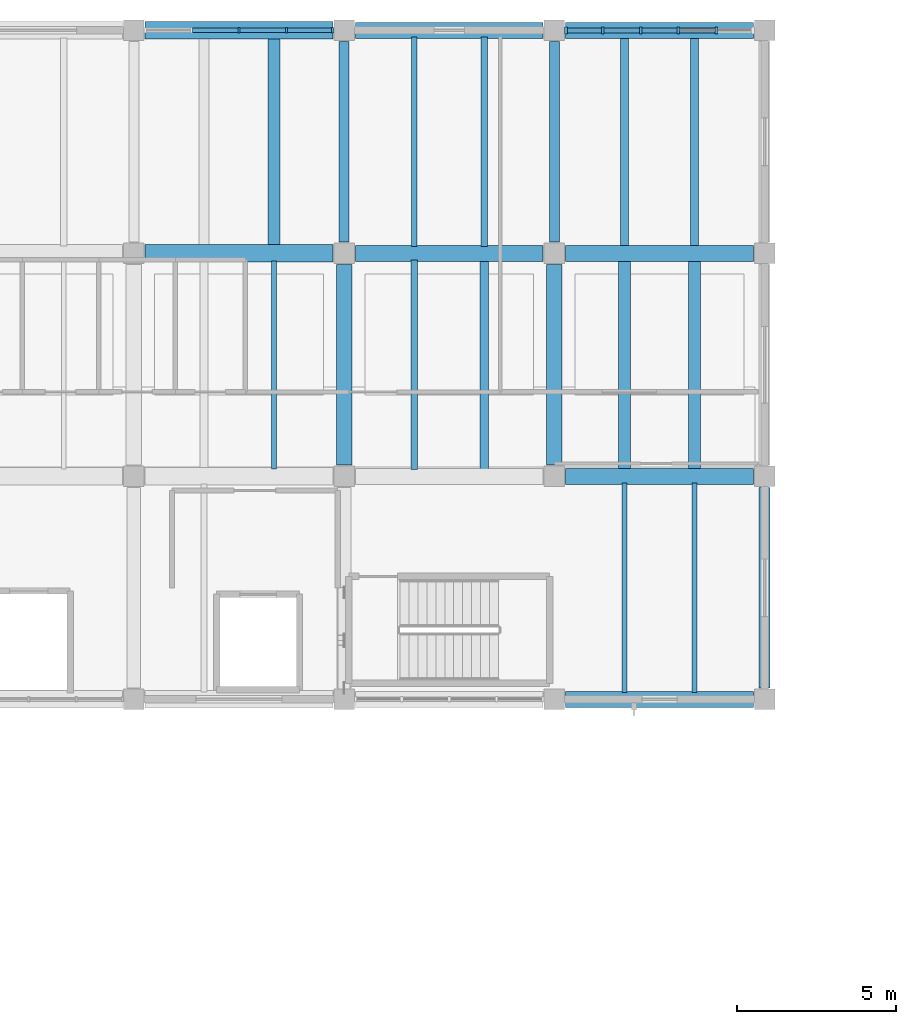
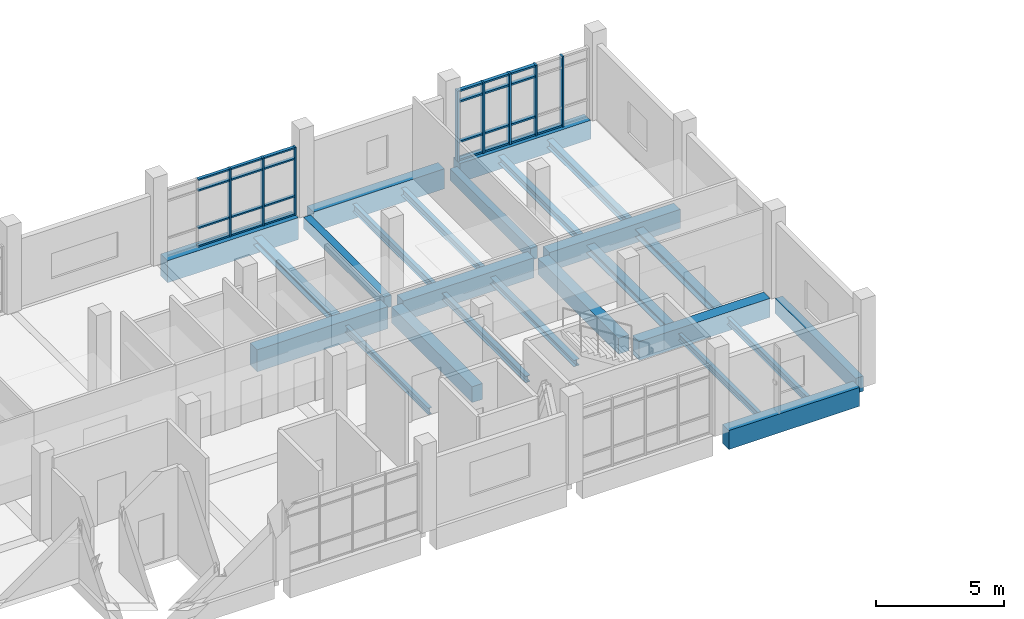
# One storey, part 5 of 16: 33 members, 25 beams, 2 elements without a shape of their own.
"""IFC4 building model written with IfcOpenShell, lengths in metres."""

import ifcopenshell
import ifcopenshell.guid

model = None  # the IFC model being written
_history = None  # IfcOwnerHistory: only IFC2X3 demands one
_inside = {}  # id of a spatial element -> (the spatial element, [elements in it])
_under = {}  # id of a project, library or spatial element -> (it, [spatial elements below it])
_declared = {}  # id of a project -> (the project, [libraries it declares])
_typed = {}  # id of a type object -> (the type object, [elements of that type])
_made_of = {}  # id of a material, layer set ... -> (it, [elements and type objects made of it])


def new_model(schema):
    """Start an empty IFC model of exactly this schema.

    Asked for "IFC4X3", IfcOpenShell would pick the latest addendum, in which some entities
    have other attributes; the version numbers below select the first issue.
    IFC2X3 requires an IfcOwnerHistory on every rooted entity: one is made here for all.
    """
    global model, _history
    if schema == "IFC4X3":
        model = ifcopenshell.file(schema_version=(4, 3, 0, 0))
    else:
        model = ifcopenshell.file(schema=schema)
    _inside.clear()
    _under.clear()
    _declared.clear()
    _typed.clear()
    _made_of.clear()
    _history = None
    if model.schema == "IFC2X3":
        org = make("IfcOrganization", Name="unknown")
        user = make(
            "IfcPersonAndOrganization",
            ThePerson=make("IfcPerson", FamilyName="unknown"),
            TheOrganization=org,
        )
        app = make(
            "IfcApplication",
            ApplicationDeveloper=org,
            Version="unknown",
            ApplicationFullName="unknown",
            ApplicationIdentifier="unknown",
        )
        _history = make(
            "IfcOwnerHistory",
            OwningUser=user,
            OwningApplication=app,
            ChangeAction="ADDED",
            CreationDate=0,
        )
    return model


def make(cls, **values):
    """One entity of the class cls with the attributes given. An attribute that is None is left unset."""
    return model.create_entity(
        cls, **{name: value for name, value in values.items() if value is not None}
    )


def rooted(cls, **values):
    """An entity with a GlobalId (a new one), such as an element, a storey or a relation."""
    return make(cls, GlobalId=ifcopenshell.guid.new(), OwnerHistory=_history, **values)


def si_unit(unit_type, name, prefix=None):
    """IfcSIUnit, for example si_unit("LENGTHUNIT", "METRE", prefix="MILLI")."""
    return make("IfcSIUnit", UnitType=unit_type, Prefix=prefix, Name=name)


def assignment(units):
    """IfcUnitAssignment: the units of a project."""
    return None if units is None else make("IfcUnitAssignment", Units=units)


def point(xyz):
    """IfcCartesianPoint."""
    return None if xyz is None else make("IfcCartesianPoint", Coordinates=xyz)


def direction(xyz):
    """IfcDirection."""
    return None if xyz is None else make("IfcDirection", DirectionRatios=xyz)


def frame(location, z_axis=None, x_axis=None):
    """IfcAxis2Placement3D, a coordinate frame: its origin and axes. An axis left out is left unset."""
    return make(
        "IfcAxis2Placement3D",
        Location=point(location),
        Axis=direction(z_axis),
        RefDirection=direction(x_axis),
    )


def frame_2d(location, x_axis=None):
    """IfcAxis2Placement2D, a coordinate frame in the plane: its origin and x axis."""
    return make(
        "IfcAxis2Placement2D", Location=point(location), RefDirection=direction(x_axis)
    )


def origin():
    """The frame at (0, 0, 0) with its axes left unset."""
    return frame((0.0, 0.0, 0.0))


def origin_2d():
    """The frame at (0, 0) in the plane with its x axis left unset."""
    return frame_2d((0.0, 0.0))


def place(relative_to, where):
    """IfcLocalPlacement: puts the frame where relative to a parent placement (None: the world)."""
    return make(
        "IfcLocalPlacement", PlacementRelTo=relative_to, RelativePlacement=where
    )


def context(
    kind, dimensions, precision=None, world=None, true_north=None, identifier=None
):
    """IfcGeometricRepresentationContext, for example the 3D "Model" context."""
    return make(
        "IfcGeometricRepresentationContext",
        ContextIdentifier=identifier,
        ContextType=kind,
        CoordinateSpaceDimension=dimensions,
        Precision=precision,
        WorldCoordinateSystem=world,
        TrueNorth=true_north,
    )


def subcontext(parent, identifier, kind, view, scale=None):
    """IfcGeometricRepresentationSubContext, for example "Body" below "Model"."""
    return make(
        "IfcGeometricRepresentationSubContext",
        ContextIdentifier=identifier,
        ContextType=kind,
        ParentContext=parent,
        TargetScale=scale,
        TargetView=view,
    )


def project(units=None, contexts=None):
    """IfcProject with its units and contexts."""
    return rooted(
        "IfcProject",
        Name="project",
        RepresentationContexts=contexts,
        UnitsInContext=assignment(units),
    )


def spatial(cls, under=None, at=None, **own):
    """A site, building, storey or space (cls), placed at a placement, below another one or the project."""
    s = rooted(cls, ObjectPlacement=at, **own)
    if under is not None:
        _under.setdefault(under.id(), (under, []))[1].append(s)
    return s


def profile(cls, at=None, kind="AREA", **sizes):
    """A parametric profile (cls). Its sizes go by their IFC names, for example OverallWidth=200.0."""
    return make(cls, ProfileType=kind, Position=at, **sizes)


def rectangle(**sizes):
    """IfcRectangleProfileDef."""
    return profile("IfcRectangleProfileDef", **sizes)


def i_section(**sizes):
    """IfcIShapeProfileDef."""
    return profile("IfcIShapeProfileDef", **sizes)


def extrude(swept, where, along, depth):
    """IfcExtrudedAreaSolid: the profile swept, set in the frame where, extruded along a direction by depth."""
    return make(
        "IfcExtrudedAreaSolid",
        SweptArea=swept,
        Position=where,
        ExtrudedDirection=direction(along),
        Depth=depth,
    )


def shape(context_of_items, identifier, shape_type, items):
    """IfcShapeRepresentation: the items that make up one representation, for example the "Body"."""
    return make(
        "IfcShapeRepresentation",
        ContextOfItems=context_of_items,
        RepresentationIdentifier=identifier,
        RepresentationType=shape_type,
        Items=items,
    )


def material(Name=None, Category=None):
    """IfcMaterial."""
    return make("IfcMaterial", Name=Name, Category=Category)


def material_profile(
    of_material, cross_section, Name=None, Category=None, Priority=None
):
    """IfcMaterialProfile: a cross section and its material."""
    return make(
        "IfcMaterialProfile",
        Name=Name,
        Material=of_material,
        Profile=cross_section,
        Priority=Priority,
        Category=Category,
    )


def profile_set(profiles, Name=None, composite=None):
    """IfcMaterialProfileSet."""
    return make(
        "IfcMaterialProfileSet",
        Name=Name,
        MaterialProfiles=profiles,
        CompositeProfile=composite,
    )


def made_of(thing, what):
    """Note that an element or type object is made of a material, layer set ...; save() writes the relation."""
    if what is not None:
        _made_of.setdefault(what.id(), (what, []))[1].append(thing)
    return thing


def type_object(cls, material=None, **own):
    """A type object (cls), such as IfcWallType, which elements share."""
    return made_of(rooted(cls, **own), material)


def element(
    cls,
    number,
    at=None,
    inside=None,
    cuts=None,
    type_object=None,
    material=None,
    context=None,
    identifier="Body",
    shape_type=None,
    held_by="IfcProductDefinitionShape",
    body=None,
    shapes=None,
    **own,
):
    """One element of the class cls, such as IfcWall. Its Tag is "e" and its number.

    at: its placement. inside: the storey or other place that contains it. cuts: it is an
    opening in that element (IfcRelVoidsElement). A single representation is given by context,
    identifier, shape_type and body (its items); several are given by shapes. held_by: the class
    of the entity that holds the representations. save() writes the other relations.
    """
    e = rooted(cls, Tag="e%d" % number, ObjectPlacement=at, **own)
    if body is not None:
        shapes = [shape(context, identifier, shape_type, body)]
    if shapes is not None:
        e.Representation = make(held_by, Representations=shapes)
    if inside is not None:
        _inside.setdefault(inside.id(), (inside, []))[1].append(e)
    if cuts is not None:
        rooted(
            "IfcRelVoidsElement", RelatingBuildingElement=cuts, RelatedOpeningElement=e
        )
    if type_object is not None:
        _typed.setdefault(type_object.id(), (type_object, []))[1].append(e)
    return made_of(e, material)


def aggregate(whole, parts):
    """IfcRelAggregates: a whole, such as a stair, and the parts it consists of."""
    return rooted("IfcRelAggregates", RelatingObject=whole, RelatedObjects=parts)


def save(model, path):
    """Write the relations noted so far, then the file.

    IfcRelAggregates (storeys below a building ...), IfcRelContainedInSpatialStructure (elements
    in a storey), IfcRelDefinesByType, IfcRelAssociatesMaterial and IfcRelDeclares: one each for
    every whole, place, type object, material and project.
    """
    for whole, parts in _under.values():
        aggregate(whole, parts)
    for where, things in _inside.values():
        rooted(
            "IfcRelContainedInSpatialStructure",
            RelatedElements=things,
            RelatingStructure=where,
        )
    for kind, things in _typed.values():
        rooted("IfcRelDefinesByType", RelatedObjects=things, RelatingType=kind)
    for what, things in _made_of.values():
        rooted("IfcRelAssociatesMaterial", RelatedObjects=things, RelatingMaterial=what)
    for by, libraries in _declared.values():
        rooted("IfcRelDeclares", RelatingContext=by, RelatedDefinitions=libraries)
    model.write(path)


model = new_model("IFC4")

# Units and contexts
model_context = context("Model", 3, precision=1e-05, world=origin(), true_north=direction((0.0, 1.0)))
body_context = subcontext(model_context, "Body", "Model", "MODEL_VIEW")
ifc_project = project(units=[si_unit("LENGTHUNIT", "METRE"), si_unit("AREAUNIT", "SQUARE_METRE"), si_unit("VOLUMEUNIT", "CUBIC_METRE"), si_unit("PLANEANGLEUNIT", "RADIAN"), si_unit("MASSUNIT", "GRAM", prefix="KILO")], contexts=[model_context])

# Site, building, storey
site_placement = place(None, origin())
site = spatial("IfcSite", under=ifc_project, at=site_placement, CompositionType="ELEMENT")
building_placement = place(site_placement, origin())
building = spatial("IfcBuilding", under=site, at=building_placement, Name="Ciguamira Faculty of Natural Sciences", CompositionType="ELEMENT")
storey_placement = place(building_placement, frame((0.0, 0.0, 25.199951171875)))
storey = spatial("IfcBuildingStorey", under=building, at=storey_placement, Name="L06", CompositionType="ELEMENT", Elevation=25.199951171875)

# Curtain wall, members
ifc_material_1 = material(Name="Anodized aluminium curtain wall", Category="aluminium")
curtain_wall_type_1 = type_object("IfcCurtainWallType", Name="CurtainWall_CW-02", PredefinedType="USERDEFINED", material=ifc_material_1)
curtain_wall_1_placement = place(storey_placement, origin())
curtain_wall_1 = element("IfcCurtainWall", 1, at=curtain_wall_1_placement, inside=storey, type_object=curtain_wall_type_1, Name="L06 unitised curtain wall 0146", ObjectType="UNITISED CURTAIN WALL", PredefinedType="USERDEFINED")
ifc_material_2 = material(Name="Anodized aluminium mullion", Category="aluminium")
ifc_material_profile_1 = material_profile(ifc_material_2, rectangle(XDim=0.070068359375, YDim=0.179931640625, at=origin_2d()), Name="ALU-MUL-70X180")
ifc_profile_set_1 = profile_set([ifc_material_profile_1], Name="Anodized aluminium mullion")
member_type_1 = type_object("IfcMemberType", Name="CWMullion_CWM-02", PredefinedType="MULLION", material=ifc_profile_set_1)
member_1_placement = place(storey_placement, frame((93.60009765625, 115.0, 0.0), z_axis=(0.0, 0.0, 1.0), x_axis=(1.0, 0.0, 0.0)))
member_1 = element("IfcMember", 2, at=member_1_placement, type_object=member_type_1, Name="CW-02 mullion 3", PredefinedType="MULLION", context=body_context, shape_type="SweptSolid", body=[
    extrude(rectangle(XDim=0.070068359375, YDim=0.179931640625, at=origin_2d()), origin(), (0.0, 0.0, 1.0), 3.235107421875),
])
member_2_placement = place(storey_placement, frame((95.08740234375, 115.0, 0.0), z_axis=(0.0, 0.0, 1.0), x_axis=(1.0, 0.0, 0.0)))
member_2 = element("IfcMember", 3, at=member_2_placement, type_object=member_type_1, Name="CW-02 mullion 4", PredefinedType="MULLION", context=body_context, shape_type="SweptSolid", body=[
    extrude(rectangle(XDim=0.070068359375, YDim=0.179931640625, at=origin_2d()), origin(), (0.0, 0.0, 1.0), 3.235107421875),
])
member_3_placement = place(storey_placement, frame((96.5400390625, 115.0, 0.0), z_axis=(0.0, 0.0, 1.0), x_axis=(1.0, 0.0, 0.0)))
member_3 = element("IfcMember", 4, at=member_3_placement, type_object=member_type_1, Name="CW-02 mullion 5", PredefinedType="MULLION", context=body_context, shape_type="SweptSolid", body=[
    extrude(rectangle(XDim=0.070068359375, YDim=0.179931640625, at=origin_2d()), origin(), (0.0, 0.0, 1.0), 3.235107421875),
])

curtain_wall_type_2 = type_object("IfcCurtainWallType", Name="CurtainWall_CW-03", PredefinedType="USERDEFINED", material=ifc_material_1)
curtain_wall_2_placement = place(storey_placement, origin())
curtain_wall_2 = element("IfcCurtainWall", 5, at=curtain_wall_2_placement, inside=storey, type_object=curtain_wall_type_2, Name="L06 unitised curtain wall 0147", ObjectType="UNITISED CURTAIN WALL", PredefinedType="USERDEFINED")
ifc_material_profile_2 = material_profile(ifc_material_2, rectangle(XDim=0.080078125, YDim=0.219970703125, at=origin_2d()), Name="ALU-MUL-80X220")
ifc_profile_set_2 = profile_set([ifc_material_profile_2], Name="Anodized aluminium mullion")
member_type_2 = type_object("IfcMemberType", Name="CWMullion_CWM-03", PredefinedType="MULLION", material=ifc_profile_set_2)
member_4_placement = place(storey_placement, frame((103.864990234375, 115.0, 0.0), z_axis=(0.0, 0.0, 1.0), x_axis=(1.0, 0.0, 0.0)))
member_4 = element("IfcMember", 6, at=member_4_placement, type_object=member_type_2, Name="CW-03 mullion 1", PredefinedType="MULLION", context=body_context, shape_type="SweptSolid", body=[
    extrude(rectangle(XDim=0.080078125, YDim=0.219970703125, at=origin_2d()), origin(), (0.0, 0.0, 1.0), 3.364990234375),
])
member_5_placement = place(storey_placement, frame((105.014892578125, 115.0, 0.0), z_axis=(0.0, 0.0, 1.0), x_axis=(1.0, 0.0, 0.0)))
member_5 = element("IfcMember", 7, at=member_5_placement, type_object=member_type_2, Name="CW-03 mullion 2", PredefinedType="MULLION", context=body_context, shape_type="SweptSolid", body=[
    extrude(rectangle(XDim=0.080078125, YDim=0.219970703125, at=origin_2d()), origin(), (0.0, 0.0, 1.0), 3.364990234375),
])
member_6_placement = place(storey_placement, frame((106.205078125, 115.0, 0.0), z_axis=(0.0, 0.0, 1.0), x_axis=(1.0, 0.0, 0.0)))
member_6 = element("IfcMember", 8, at=member_6_placement, type_object=member_type_2, Name="CW-03 mullion 3", PredefinedType="MULLION", context=body_context, shape_type="SweptSolid", body=[
    extrude(rectangle(XDim=0.080078125, YDim=0.219970703125, at=origin_2d()), origin(), (0.0, 0.0, 1.0), 3.364990234375),
])
member_7_placement = place(storey_placement, frame((107.39501953125, 115.0, 0.0), z_axis=(0.0, 0.0, 1.0), x_axis=(1.0, 0.0, 0.0)))
member_7 = element("IfcMember", 9, at=member_7_placement, type_object=member_type_2, Name="CW-03 mullion 4", PredefinedType="MULLION", context=body_context, shape_type="SweptSolid", body=[
    extrude(rectangle(XDim=0.080078125, YDim=0.219970703125, at=origin_2d()), origin(), (0.0, 0.0, 1.0), 3.364990234375),
])
member_8_placement = place(storey_placement, frame((108.5849609375, 115.0, 0.0), z_axis=(0.0, 0.0, 1.0), x_axis=(1.0, 0.0, 0.0)))
member_8 = element("IfcMember", 10, at=member_8_placement, type_object=member_type_2, Name="CW-03 mullion 5", PredefinedType="MULLION", context=body_context, shape_type="SweptSolid", body=[
    extrude(rectangle(XDim=0.080078125, YDim=0.219970703125, at=origin_2d()), origin(), (0.0, 0.0, 1.0), 3.364990234375),
])

# Member
ifc_material_3 = material(Name="Anodized aluminium transom", Category="aluminium")
ifc_material_profile_3 = material_profile(ifc_material_3, rectangle(XDim=0.070068359375, YDim=0.139892578125, at=origin_2d()), Name="ALU-TRN-70X140")
ifc_profile_set_3 = profile_set([ifc_material_profile_3], Name="Anodized aluminium transom")
member_type_3 = type_object("IfcMemberType", Name="CWTransom_CWT-02", PredefinedType="USERDEFINED", material=ifc_profile_set_3)
member_9_placement = place(storey_placement, frame((92.1474609375, 115.0, 0.03515625), z_axis=(1.0, 0.0, 0.0), x_axis=(0.0, 0.0, 1.0)))
member_9 = element("IfcMember", 11, at=member_9_placement, type_object=member_type_3, Name="CW-02 transom 2.1", ObjectType="TRANSOM", PredefinedType="USERDEFINED", context=body_context, shape_type="SweptSolid", body=[
    extrude(rectangle(XDim=0.070068359375, YDim=0.139892578125, at=origin_2d()), origin(), (0.0, 0.0, 1.0), 1.41748046875),
])

member_10_placement = place(storey_placement, frame((92.1474609375, 115.0, 0.900146484375), z_axis=(1.0, 0.0, 0.0), x_axis=(0.0, 0.0, 1.0)))
member_10 = element("IfcMember", 12, at=member_10_placement, type_object=member_type_3, Name="CW-02 transom 2.2", ObjectType="TRANSOM", PredefinedType="USERDEFINED", context=body_context, shape_type="SweptSolid", body=[
    extrude(rectangle(XDim=0.070068359375, YDim=0.139892578125, at=origin_2d()), origin(), (0.0, 0.0, 1.0), 1.41748046875),
])

member_11_placement = place(storey_placement, frame((92.1474609375, 115.0, 2.68505859375), z_axis=(1.0, 0.0, 0.0), x_axis=(0.0, 0.0, 1.0)))
member_11 = element("IfcMember", 13, at=member_11_placement, type_object=member_type_3, Name="CW-02 transom 2.3", ObjectType="TRANSOM", PredefinedType="USERDEFINED", context=body_context, shape_type="SweptSolid", body=[
    extrude(rectangle(XDim=0.070068359375, YDim=0.139892578125, at=origin_2d()), origin(), (0.0, 0.0, 1.0), 1.41748046875),
])

member_12_placement = place(storey_placement, frame((92.1474609375, 115.0, 3.199951171875), z_axis=(1.0, 0.0, 0.0), x_axis=(0.0, 0.0, 1.0)))
member_12 = element("IfcMember", 14, at=member_12_placement, type_object=member_type_3, Name="CW-02 transom 2.4", ObjectType="TRANSOM", PredefinedType="USERDEFINED", context=body_context, shape_type="SweptSolid", body=[
    extrude(rectangle(XDim=0.070068359375, YDim=0.139892578125, at=origin_2d()), origin(), (0.0, 0.0, 1.0), 1.41748046875),
])

member_13_placement = place(storey_placement, frame((93.635009765625, 115.0, 0.03515625), z_axis=(1.0, 0.0, 0.0), x_axis=(0.0, 0.0, 1.0)))
member_13 = element("IfcMember", 15, at=member_13_placement, type_object=member_type_3, Name="CW-02 transom 3.1", ObjectType="TRANSOM", PredefinedType="USERDEFINED", context=body_context, shape_type="SweptSolid", body=[
    extrude(rectangle(XDim=0.070068359375, YDim=0.139892578125, at=origin_2d()), origin(), (0.0, 0.0, 1.0), 1.41748046875),
])

member_14_placement = place(storey_placement, frame((93.635009765625, 115.0, 0.900146484375), z_axis=(1.0, 0.0, 0.0), x_axis=(0.0, 0.0, 1.0)))
member_14 = element("IfcMember", 16, at=member_14_placement, type_object=member_type_3, Name="CW-02 transom 3.2", ObjectType="TRANSOM", PredefinedType="USERDEFINED", context=body_context, shape_type="SweptSolid", body=[
    extrude(rectangle(XDim=0.070068359375, YDim=0.139892578125, at=origin_2d()), origin(), (0.0, 0.0, 1.0), 1.41748046875),
])

member_15_placement = place(storey_placement, frame((93.635009765625, 115.0, 2.68505859375), z_axis=(1.0, 0.0, 0.0), x_axis=(0.0, 0.0, 1.0)))
member_15 = element("IfcMember", 17, at=member_15_placement, type_object=member_type_3, Name="CW-02 transom 3.3", ObjectType="TRANSOM", PredefinedType="USERDEFINED", context=body_context, shape_type="SweptSolid", body=[
    extrude(rectangle(XDim=0.070068359375, YDim=0.139892578125, at=origin_2d()), origin(), (0.0, 0.0, 1.0), 1.41748046875),
])

member_16_placement = place(storey_placement, frame((93.635009765625, 115.0, 3.199951171875), z_axis=(1.0, 0.0, 0.0), x_axis=(0.0, 0.0, 1.0)))
member_16 = element("IfcMember", 18, at=member_16_placement, type_object=member_type_3, Name="CW-02 transom 3.4", ObjectType="TRANSOM", PredefinedType="USERDEFINED", context=body_context, shape_type="SweptSolid", body=[
    extrude(rectangle(XDim=0.070068359375, YDim=0.139892578125, at=origin_2d()), origin(), (0.0, 0.0, 1.0), 1.41748046875),
])

member_17_placement = place(storey_placement, frame((95.12255859375, 115.0, 0.03515625), z_axis=(1.0, 0.0, 0.0), x_axis=(0.0, 0.0, 1.0)))
member_17 = element("IfcMember", 19, at=member_17_placement, type_object=member_type_3, Name="CW-02 transom 4.1", ObjectType="TRANSOM", PredefinedType="USERDEFINED", context=body_context, shape_type="SweptSolid", body=[
    extrude(rectangle(XDim=0.070068359375, YDim=0.139892578125, at=origin_2d()), origin(), (0.0, 0.0, 1.0), 1.38232421875),
])

member_18_placement = place(storey_placement, frame((95.12255859375, 115.0, 0.900146484375), z_axis=(1.0, 0.0, 0.0), x_axis=(0.0, 0.0, 1.0)))
member_18 = element("IfcMember", 20, at=member_18_placement, type_object=member_type_3, Name="CW-02 transom 4.2", ObjectType="TRANSOM", PredefinedType="USERDEFINED", context=body_context, shape_type="SweptSolid", body=[
    extrude(rectangle(XDim=0.070068359375, YDim=0.139892578125, at=origin_2d()), origin(), (0.0, 0.0, 1.0), 1.38232421875),
])

member_19_placement = place(storey_placement, frame((95.12255859375, 115.0, 2.68505859375), z_axis=(1.0, 0.0, 0.0), x_axis=(0.0, 0.0, 1.0)))
member_19 = element("IfcMember", 21, at=member_19_placement, type_object=member_type_3, Name="CW-02 transom 4.3", ObjectType="TRANSOM", PredefinedType="USERDEFINED", context=body_context, shape_type="SweptSolid", body=[
    extrude(rectangle(XDim=0.070068359375, YDim=0.139892578125, at=origin_2d()), origin(), (0.0, 0.0, 1.0), 1.38232421875),
])

member_20_placement = place(storey_placement, frame((95.12255859375, 115.0, 3.199951171875), z_axis=(1.0, 0.0, 0.0), x_axis=(0.0, 0.0, 1.0)))
member_20 = element("IfcMember", 22, at=member_20_placement, type_object=member_type_3, Name="CW-02 transom 4.4", ObjectType="TRANSOM", PredefinedType="USERDEFINED", context=body_context, shape_type="SweptSolid", body=[
    extrude(rectangle(XDim=0.070068359375, YDim=0.139892578125, at=origin_2d()), origin(), (0.0, 0.0, 1.0), 1.38232421875),
])

aggregate(curtain_wall_1, [member_1, member_2, member_3, member_9, member_10, member_11, member_12, member_13, member_14, member_15, member_16, member_17, member_18, member_19, member_20])

ifc_material_profile_4 = material_profile(ifc_material_3, rectangle(XDim=0.080078125, YDim=0.159912109375, at=origin_2d()), Name="ALU-TRN-80X160")
ifc_profile_set_4 = profile_set([ifc_material_profile_4], Name="Anodized aluminium transom")
member_type_4 = type_object("IfcMemberType", Name="CWTransom_CWT-03", PredefinedType="USERDEFINED", material=ifc_profile_set_4)
member_21_placement = place(storey_placement, frame((103.905029296875, 115.0, 0.0400390625), z_axis=(1.0, 0.0, 0.0), x_axis=(0.0, 0.0, 1.0)))
member_21 = element("IfcMember", 23, at=member_21_placement, type_object=member_type_4, Name="CW-03 transom 1.1", ObjectType="TRANSOM", PredefinedType="USERDEFINED", context=body_context, shape_type="SweptSolid", body=[
    extrude(rectangle(XDim=0.080078125, YDim=0.159912109375, at=origin_2d()), origin(), (0.0, 0.0, 1.0), 1.070068359375),
])

member_22_placement = place(storey_placement, frame((103.905029296875, 115.0, 0.900146484375), z_axis=(1.0, 0.0, 0.0), x_axis=(0.0, 0.0, 1.0)))
member_22 = element("IfcMember", 24, at=member_22_placement, type_object=member_type_4, Name="CW-03 transom 1.2", ObjectType="TRANSOM", PredefinedType="USERDEFINED", context=body_context, shape_type="SweptSolid", body=[
    extrude(rectangle(XDim=0.080078125, YDim=0.159912109375, at=origin_2d()), origin(), (0.0, 0.0, 1.0), 1.070068359375),
])

member_23_placement = place(storey_placement, frame((103.905029296875, 115.0, 2.81494140625), z_axis=(1.0, 0.0, 0.0), x_axis=(0.0, 0.0, 1.0)))
member_23 = element("IfcMember", 25, at=member_23_placement, type_object=member_type_4, Name="CW-03 transom 1.3", ObjectType="TRANSOM", PredefinedType="USERDEFINED", context=body_context, shape_type="SweptSolid", body=[
    extrude(rectangle(XDim=0.080078125, YDim=0.159912109375, at=origin_2d()), origin(), (0.0, 0.0, 1.0), 1.070068359375),
])

member_24_placement = place(storey_placement, frame((103.905029296875, 115.0, 3.324951171875), z_axis=(1.0, 0.0, 0.0), x_axis=(0.0, 0.0, 1.0)))
member_24 = element("IfcMember", 26, at=member_24_placement, type_object=member_type_4, Name="CW-03 transom 1.4", ObjectType="TRANSOM", PredefinedType="USERDEFINED", context=body_context, shape_type="SweptSolid", body=[
    extrude(rectangle(XDim=0.080078125, YDim=0.159912109375, at=origin_2d()), origin(), (0.0, 0.0, 1.0), 1.070068359375),
])

member_25_placement = place(storey_placement, frame((105.054931640625, 115.0, 0.0400390625), z_axis=(1.0, 0.0, 0.0), x_axis=(0.0, 0.0, 1.0)))
member_25 = element("IfcMember", 27, at=member_25_placement, type_object=member_type_4, Name="CW-03 transom 2.1", ObjectType="TRANSOM", PredefinedType="USERDEFINED", context=body_context, shape_type="SweptSolid", body=[
    extrude(rectangle(XDim=0.080078125, YDim=0.159912109375, at=origin_2d()), origin(), (0.0, 0.0, 1.0), 1.110107421875),
])

member_26_placement = place(storey_placement, frame((105.054931640625, 115.0, 0.900146484375), z_axis=(1.0, 0.0, 0.0), x_axis=(0.0, 0.0, 1.0)))
member_26 = element("IfcMember", 28, at=member_26_placement, type_object=member_type_4, Name="CW-03 transom 2.2", ObjectType="TRANSOM", PredefinedType="USERDEFINED", context=body_context, shape_type="SweptSolid", body=[
    extrude(rectangle(XDim=0.080078125, YDim=0.159912109375, at=origin_2d()), origin(), (0.0, 0.0, 1.0), 1.110107421875),
])

member_27_placement = place(storey_placement, frame((105.054931640625, 115.0, 2.81494140625), z_axis=(1.0, 0.0, 0.0), x_axis=(0.0, 0.0, 1.0)))
member_27 = element("IfcMember", 29, at=member_27_placement, type_object=member_type_4, Name="CW-03 transom 2.3", ObjectType="TRANSOM", PredefinedType="USERDEFINED", context=body_context, shape_type="SweptSolid", body=[
    extrude(rectangle(XDim=0.080078125, YDim=0.159912109375, at=origin_2d()), origin(), (0.0, 0.0, 1.0), 1.110107421875),
])

member_28_placement = place(storey_placement, frame((105.054931640625, 115.0, 3.324951171875), z_axis=(1.0, 0.0, 0.0), x_axis=(0.0, 0.0, 1.0)))
member_28 = element("IfcMember", 30, at=member_28_placement, type_object=member_type_4, Name="CW-03 transom 2.4", ObjectType="TRANSOM", PredefinedType="USERDEFINED", context=body_context, shape_type="SweptSolid", body=[
    extrude(rectangle(XDim=0.080078125, YDim=0.159912109375, at=origin_2d()), origin(), (0.0, 0.0, 1.0), 1.110107421875),
])

member_29_placement = place(storey_placement, frame((106.2451171875, 115.0, 0.0400390625), z_axis=(1.0, 0.0, 0.0), x_axis=(0.0, 0.0, 1.0)))
member_29 = element("IfcMember", 31, at=member_29_placement, type_object=member_type_4, Name="CW-03 transom 3.1", ObjectType="TRANSOM", PredefinedType="USERDEFINED", context=body_context, shape_type="SweptSolid", body=[
    extrude(rectangle(XDim=0.080078125, YDim=0.159912109375, at=origin_2d()), origin(), (0.0, 0.0, 1.0), 1.10986328125),
])

member_30_placement = place(storey_placement, frame((106.2451171875, 115.0, 0.900146484375), z_axis=(1.0, 0.0, 0.0), x_axis=(0.0, 0.0, 1.0)))
member_30 = element("IfcMember", 32, at=member_30_placement, type_object=member_type_4, Name="CW-03 transom 3.2", ObjectType="TRANSOM", PredefinedType="USERDEFINED", context=body_context, shape_type="SweptSolid", body=[
    extrude(rectangle(XDim=0.080078125, YDim=0.159912109375, at=origin_2d()), origin(), (0.0, 0.0, 1.0), 1.10986328125),
])

member_31_placement = place(storey_placement, frame((106.2451171875, 115.0, 2.81494140625), z_axis=(1.0, 0.0, 0.0), x_axis=(0.0, 0.0, 1.0)))
member_31 = element("IfcMember", 33, at=member_31_placement, type_object=member_type_4, Name="CW-03 transom 3.3", ObjectType="TRANSOM", PredefinedType="USERDEFINED", context=body_context, shape_type="SweptSolid", body=[
    extrude(rectangle(XDim=0.080078125, YDim=0.159912109375, at=origin_2d()), origin(), (0.0, 0.0, 1.0), 1.10986328125),
])

member_32_placement = place(storey_placement, frame((106.2451171875, 115.0, 3.324951171875), z_axis=(1.0, 0.0, 0.0), x_axis=(0.0, 0.0, 1.0)))
member_32 = element("IfcMember", 34, at=member_32_placement, type_object=member_type_4, Name="CW-03 transom 3.4", ObjectType="TRANSOM", PredefinedType="USERDEFINED", context=body_context, shape_type="SweptSolid", body=[
    extrude(rectangle(XDim=0.080078125, YDim=0.159912109375, at=origin_2d()), origin(), (0.0, 0.0, 1.0), 1.10986328125),
])

member_33_placement = place(storey_placement, frame((107.43505859375, 115.0, 0.0400390625), z_axis=(1.0, 0.0, 0.0), x_axis=(0.0, 0.0, 1.0)))
member_33 = element("IfcMember", 35, at=member_33_placement, type_object=member_type_4, Name="CW-03 transom 4.1", ObjectType="TRANSOM", PredefinedType="USERDEFINED", context=body_context, shape_type="SweptSolid", body=[
    extrude(rectangle(XDim=0.080078125, YDim=0.159912109375, at=origin_2d()), origin(), (0.0, 0.0, 1.0), 1.10986328125),
])

aggregate(curtain_wall_2, [member_4, member_5, member_6, member_7, member_8, member_21, member_22, member_23, member_24, member_25, member_26, member_27, member_28, member_29, member_30, member_31, member_32, member_33])

# Beams
ifc_material_4 = material(Name="Concrete C40/50", Category="concrete")
ifc_material_profile_5 = material_profile(ifc_material_4, rectangle(XDim=0.550048828125, YDim=1.050048828125, at=origin_2d()), Name="RC-BM-550X1050")
ifc_profile_set_5 = profile_set([ifc_material_profile_5], Name="Concrete C40/50")
beam_type_1 = type_object("IfcBeamType", Name="RCBeam_BG-01_RC-BM-550X1050", PredefinedType="BEAM", material=ifc_profile_set_5)
for number, where, z_axis, x_axis, name in (
    (36, (90.64990234375, 108.0, -0.52490234375), (1.0, 0.0, 0.0), (0.0, 1.0, 0.0), "L06 RC girder EW-1514"),
    (37, (90.64990234375, 115.0, -0.52490234375), (1.0, 0.0, 0.0), (0.0, 1.0, 0.0), "L06 RC girder EW-1521"),
):
    element("IfcBeam", number, at=place(storey_placement, frame(where, z_axis=z_axis, x_axis=x_axis)), inside=storey, type_object=beam_type_1, Name=name, PredefinedType="BEAM", context=body_context, shape_type="SweptSolid", body=[
        extrude(rectangle(XDim=0.550048828125, YDim=1.050048828125, at=origin_2d()), origin(), (0.0, 0.0, 1.0), 5.900146484375),
    ])
ifc_material_profile_6 = material_profile(ifc_material_4, rectangle(XDim=0.5, YDim=0.949951171875, at=origin_2d()), Name="RC-BM-500X950")
ifc_profile_set_6 = profile_set([ifc_material_profile_6], Name="Concrete C40/50")
beam_type_2 = type_object("IfcBeamType", Name="RCBeam_BG-02_RC-BM-500X950", PredefinedType="BEAM", material=ifc_profile_set_6)
for number, where, z_axis, x_axis, name in (
    (38, (97.25, 108.0, -0.474853515625), (1.0, 0.0, 0.0), (0.0, 1.0, 0.0), "L06 RC girder EW-1515"),
    (39, (97.25, 115.0, -0.474853515625), (1.0, 0.0, 0.0), (0.0, 1.0, 0.0), "L06 RC girder EW-1522"),
):
    element("IfcBeam", number, at=place(storey_placement, frame(where, z_axis=z_axis, x_axis=x_axis)), inside=storey, type_object=beam_type_2, Name=name, PredefinedType="BEAM", context=body_context, shape_type="SweptSolid", body=[
        extrude(rectangle(XDim=0.5, YDim=0.949951171875, at=origin_2d()), origin(), (0.0, 0.0, 1.0), 5.89990234375),
    ])
ifc_material_profile_7 = material_profile(ifc_material_4, rectangle(XDim=0.5, YDim=0.89990234375, at=origin_2d()), Name="RC-BM-500X900")
ifc_profile_set_7 = profile_set([ifc_material_profile_7], Name="Concrete C40/50")
beam_type_3 = type_object("IfcBeamType", Name="RCBeam_BG-03_RC-BM-500X900", PredefinedType="BEAM", material=ifc_profile_set_7)
for number, where, z_axis, x_axis, name in (
    (40, (103.85009765625, 94.0, -0.449951171875), (1.0, 0.0, 0.0), (0.0, 1.0, 0.0), "L06 RC girder EW-1502"),
    (41, (103.85009765625, 101.0, -0.449951171875), (1.0, 0.0, 0.0), (0.0, 1.0, 0.0), "L06 RC girder EW-1509"),
    (42, (103.85009765625, 108.0, -0.449951171875), (1.0, 0.0, 0.0), (0.0, 1.0, 0.0), "L06 RC girder EW-1516"),
    (43, (103.85009765625, 115.0, -0.449951171875), (1.0, 0.0, 0.0), (0.0, 1.0, 0.0), "L06 RC girder EW-1523"),
):
    element("IfcBeam", number, at=place(storey_placement, frame(where, z_axis=z_axis, x_axis=x_axis)), inside=storey, type_object=beam_type_3, Name=name, PredefinedType="BEAM", context=body_context, shape_type="SweptSolid", body=[
        extrude(rectangle(XDim=0.5, YDim=0.89990234375, at=origin_2d()), origin(), (0.0, 0.0, 1.0), 5.89990234375),
    ])
ifc_material_profile_8 = material_profile(ifc_material_4, rectangle(XDim=0.320068359375, YDim=0.56005859375, at=origin_2d()), Name="RC-BM-320X560")
ifc_profile_set_8 = profile_set([ifc_material_profile_8], Name="Concrete C40/50")
beam_type_4 = type_object("IfcBeamType", Name="RCBeam_BG-12_RC-BM-320X560", PredefinedType="BEAM", material=ifc_profile_set_8)
for number, where, z_axis, x_axis, name in (
    (44, (96.89990234375, 108.35009765625, -0.280029296875), (0.0, 1.0, 0.0), (-1.0, 0.0, 0.0), "L06 girder NS-1538"),
    (45, (103.5, 108.35009765625, -0.280029296875), (0.0, 1.0, 0.0), (-1.0, 0.0, 0.0), "L06 girder NS-1540"),
):
    element("IfcBeam", number, at=place(storey_placement, frame(where, z_axis=z_axis, x_axis=x_axis)), inside=storey, type_object=beam_type_4, Name=name, PredefinedType="BEAM", context=body_context, shape_type="SweptSolid", body=[
        extrude(rectangle(XDim=0.320068359375, YDim=0.56005859375, at=origin_2d()), origin(), (0.0, 0.0, 1.0), 6.2998046875),
    ])
ifc_material_5 = material(Name="Precast concrete C40/50", Category="concrete")
ifc_material_profile_9 = material_profile(ifc_material_5, rectangle(XDim=0.340087890625, YDim=0.719970703125, at=origin_2d()), Name="RC-SP-340X720")
ifc_profile_set_9 = profile_set([ifc_material_profile_9], Name="Precast concrete C40/50")
beam_type_5 = type_object("IfcBeamType", Name="RCBeam_SP-03_RC-SP-340X720", PredefinedType="SPANDREL", material=ifc_profile_set_9)
beam_1_placement = place(storey_placement, frame((110.10009765625, 94.35009765625, -0.35986328125), z_axis=(0.0, 1.0, 0.0), x_axis=(-1.0, 0.0, 0.0)))
element("IfcBeam", 46, at=beam_1_placement, inside=storey, type_object=beam_type_5, Name="L06 girder NS-1541", PredefinedType="SPANDREL", context=body_context, shape_type="SweptSolid", body=[
    extrude(rectangle(XDim=0.340087890625, YDim=0.719970703125, at=origin_2d()), origin(), (0.0, 0.0, 1.0), 6.2998046875),
])
ifc_material_profile_10 = material_profile(ifc_material_4, rectangle(XDim=0.47998046875, YDim=0.760009765625, at=origin_2d()), Name="RC-TB-480X760")
ifc_profile_set_10 = profile_set([ifc_material_profile_10], Name="Concrete C40/50")
beam_type_6 = type_object("IfcBeamType", Name="RCBeam_TB-01_RC-TB-480X760", PredefinedType="T_BEAM", material=ifc_profile_set_10)
for number, where, z_axis, x_axis, name in (
    (47, (96.89990234375, 101.35009765625, -0.3798828125), (0.0, 1.0, 0.0), (-1.0, 0.0, 0.0), "L06 girder NS-1537"),
    (48, (103.5, 101.35009765625, -0.3798828125), (0.0, 1.0, 0.0), (-1.0, 0.0, 0.0), "L06 girder NS-1539"),
):
    element("IfcBeam", number, at=place(storey_placement, frame(where, z_axis=z_axis, x_axis=x_axis)), inside=storey, type_object=beam_type_6, Name=name, PredefinedType="T_BEAM", context=body_context, shape_type="SweptSolid", body=[
        extrude(rectangle(XDim=0.47998046875, YDim=0.760009765625, at=origin_2d()), origin(), (0.0, 0.0, 1.0), 6.2998046875),
    ])
ifc_material_6 = material(Name="Steel ASTM A992 Grade 50", Category="steel")
ifc_material_profile_11 = material_profile(ifc_material_6, i_section(OverallWidth=0.164794921875, OverallDepth=0.309814453125, WebThickness=0.005859375, FlangeThickness=0.009765625, at=origin_2d()), Name="W12X26")
ifc_profile_set_11 = profile_set([ifc_material_profile_11], Name="Steel ASTM A992 Grade 50")
beam_type_7 = type_object("IfcBeamType", Name="SteelJoist_SJ-04_W12X26", PredefinedType="JOIST", material=ifc_profile_set_11)
beam_2_placement = place(storey_placement, frame((94.699951171875, 101.235107421875, -0.394775390625), z_axis=(0.0, 1.0, 0.0), x_axis=(-1.0, 0.0, 0.0)))
element("IfcBeam", 49, at=beam_2_placement, inside=storey, type_object=beam_type_7, Name="L06 composite steel joist 01403", PredefinedType="JOIST", context=body_context, shape_type="SweptSolid", body=[
    extrude(i_section(OverallWidth=0.164794921875, OverallDepth=0.309814453125, WebThickness=0.005859375, FlangeThickness=0.009765625, at=origin_2d()), origin(), (0.0, 0.0, 1.0), 6.52978515625),
])
beam_3_placement = place(storey_placement, frame((105.699951171875, 94.2099609375, -0.394775390625), z_axis=(0.0, 1.0, 0.0), x_axis=(-1.0, 0.0, 0.0)))
element("IfcBeam", 50, at=beam_3_placement, inside=storey, type_object=beam_type_7, Name="L06 composite steel joist 01410", PredefinedType="JOIST", context=body_context, shape_type="SweptSolid", body=[
    extrude(i_section(OverallWidth=0.164794921875, OverallDepth=0.309814453125, WebThickness=0.005859375, FlangeThickness=0.009765625, at=origin_2d()), origin(), (0.0, 0.0, 1.0), 6.580078125),
])
ifc_material_profile_12 = material_profile(ifc_material_6, i_section(OverallWidth=0.16650390625, OverallDepth=0.3173828125, WebThickness=0.007568359375, FlangeThickness=0.01318359375, at=origin_2d()), Name="W12X35")
ifc_profile_set_12 = profile_set([ifc_material_profile_12], Name="Steel ASTM A992 Grade 50")
beam_type_8 = type_object("IfcBeamType", Name="SteelJoist_SJ-05_W12X35", PredefinedType="JOIST", material=ifc_profile_set_12)
beam_4_placement = place(storey_placement, frame((107.89990234375, 94.2099609375, -0.398681640625), z_axis=(0.0, 1.0, 0.0), x_axis=(-1.0, 0.0, 0.0)))
element("IfcBeam", 51, at=beam_4_placement, inside=storey, type_object=beam_type_8, Name="L06 composite steel joist 01411", PredefinedType="JOIST", context=body_context, shape_type="SweptSolid", body=[
    extrude(i_section(OverallWidth=0.16650390625, OverallDepth=0.3173828125, WebThickness=0.007568359375, FlangeThickness=0.01318359375, at=origin_2d()), origin(), (0.0, 0.0, 1.0), 6.580078125),
])
ifc_material_profile_13 = material_profile(ifc_material_6, i_section(OverallWidth=0.20458984375, OverallDepth=0.307373046875, WebThickness=0.008544921875, FlangeThickness=0.0146484375, at=origin_2d()), Name="W12X45")
ifc_profile_set_13 = profile_set([ifc_material_profile_13], Name="Steel ASTM A992 Grade 50")
beam_type_9 = type_object("IfcBeamType", Name="SteelJoist_SJ-06_W12X45", PredefinedType="JOIST", material=ifc_profile_set_13)
beam_5_placement = place(storey_placement, frame((99.10009765625, 101.2099609375, -0.3935546875), z_axis=(0.0, 1.0, 0.0), x_axis=(-1.0, 0.0, 0.0)))
element("IfcBeam", 52, at=beam_5_placement, inside=storey, type_object=beam_type_9, Name="L06 composite steel joist 01406", PredefinedType="JOIST", context=body_context, shape_type="SweptSolid", body=[
    extrude(i_section(OverallWidth=0.20458984375, OverallDepth=0.307373046875, WebThickness=0.008544921875, FlangeThickness=0.0146484375, at=origin_2d()), origin(), (0.0, 0.0, 1.0), 6.580078125),
])
ifc_material_profile_14 = material_profile(ifc_material_6, i_section(OverallWidth=0.25390625, OverallDepth=0.307373046875, WebThickness=0.0087890625, FlangeThickness=0.0146484375, at=origin_2d()), Name="W12X53")
ifc_profile_set_14 = profile_set([ifc_material_profile_14], Name="Steel ASTM A992 Grade 50")
beam_type_10 = type_object("IfcBeamType", Name="SteelJoist_SJ-07_W12X53", PredefinedType="JOIST", material=ifc_profile_set_14)
beam_6_placement = place(storey_placement, frame((101.300048828125, 101.2099609375, -0.3935546875), z_axis=(0.0, 1.0, 0.0), x_axis=(-1.0, 0.0, 0.0)))
element("IfcBeam", 53, at=beam_6_placement, inside=storey, type_object=beam_type_10, Name="L06 composite steel joist 01407", PredefinedType="JOIST", context=body_context, shape_type="SweptSolid", body=[
    extrude(i_section(OverallWidth=0.25390625, OverallDepth=0.307373046875, WebThickness=0.0087890625, FlangeThickness=0.0146484375, at=origin_2d()), origin(), (0.0, 0.0, 1.0), 6.580078125),
])
ifc_material_profile_15 = material_profile(ifc_material_6, i_section(OverallWidth=0.370849609375, OverallDepth=0.36328125, WebThickness=0.013427734375, FlangeThickness=0.021728515625, at=origin_2d()), Name="W14X109")
ifc_profile_set_15 = profile_set([ifc_material_profile_15], Name="Steel ASTM A992 Grade 50")
beam_type_11 = type_object("IfcBeamType", Name="SteelJoist_SJ-09_W14X109", PredefinedType="JOIST", material=ifc_profile_set_15)
beam_7_placement = place(storey_placement, frame((94.699951171875, 108.235107421875, -0.421630859375), z_axis=(0.0, 1.0, 0.0), x_axis=(-1.0, 0.0, 0.0)))
element("IfcBeam", 54, at=beam_7_placement, inside=storey, type_object=beam_type_11, Name="L06 composite steel joist 01405", PredefinedType="JOIST", context=body_context, shape_type="SweptSolid", body=[
    extrude(i_section(OverallWidth=0.370849609375, OverallDepth=0.36328125, WebThickness=0.013427734375, FlangeThickness=0.021728515625, at=origin_2d()), origin(), (0.0, 0.0, 1.0), 6.52978515625),
])
beam_8_placement = place(storey_placement, frame((105.699951171875, 101.2099609375, -0.421630859375), z_axis=(0.0, 1.0, 0.0), x_axis=(-1.0, 0.0, 0.0)))
element("IfcBeam", 55, at=beam_8_placement, inside=storey, type_object=beam_type_11, Name="L06 composite steel joist 01412", PredefinedType="JOIST", context=body_context, shape_type="SweptSolid", body=[
    extrude(i_section(OverallWidth=0.370849609375, OverallDepth=0.36328125, WebThickness=0.013427734375, FlangeThickness=0.021728515625, at=origin_2d()), origin(), (0.0, 0.0, 1.0), 6.580078125),
])
ifc_material_profile_16 = material_profile(ifc_material_6, i_section(OverallWidth=0.373291015625, OverallDepth=0.373291015625, WebThickness=0.016357421875, FlangeThickness=0.026123046875, at=origin_2d()), Name="W14X132")
ifc_profile_set_16 = profile_set([ifc_material_profile_16], Name="Steel ASTM A992 Grade 50")
beam_type_12 = type_object("IfcBeamType", Name="SteelJoist_SJ-10_W14X132", PredefinedType="JOIST", material=ifc_profile_set_16)
beam_9_placement = place(storey_placement, frame((107.89990234375, 101.2099609375, -0.4267578125), z_axis=(0.0, 1.0, 0.0), x_axis=(-1.0, 0.0, 0.0)))
element("IfcBeam", 56, at=beam_9_placement, inside=storey, type_object=beam_type_12, Name="L06 composite steel joist 01413", PredefinedType="JOIST", context=body_context, shape_type="SweptSolid", body=[
    extrude(i_section(OverallWidth=0.373291015625, OverallDepth=0.373291015625, WebThickness=0.016357421875, FlangeThickness=0.026123046875, at=origin_2d()), origin(), (0.0, 0.0, 1.0), 6.580078125),
])
ifc_material_profile_17 = material_profile(ifc_material_6, i_section(OverallWidth=0.1708984375, OverallDepth=0.3505859375, WebThickness=0.0068359375, FlangeThickness=0.009765625, at=origin_2d()), Name="W14X30")
ifc_profile_set_17 = profile_set([ifc_material_profile_17], Name="Steel ASTM A992 Grade 50")
beam_type_13 = type_object("IfcBeamType", Name="SteelJoist_SJ-11_W14X30", PredefinedType="JOIST", material=ifc_profile_set_17)
beam_10_placement = place(storey_placement, frame((99.10009765625, 108.2099609375, -0.415283203125), z_axis=(0.0, 1.0, 0.0), x_axis=(-1.0, 0.0, 0.0)))
element("IfcBeam", 57, at=beam_10_placement, inside=storey, type_object=beam_type_13, Name="L06 composite steel joist 01408", PredefinedType="JOIST", context=body_context, shape_type="SweptSolid", body=[
    extrude(i_section(OverallWidth=0.1708984375, OverallDepth=0.3505859375, WebThickness=0.0068359375, FlangeThickness=0.009765625, at=origin_2d()), origin(), (0.0, 0.0, 1.0), 6.580078125),
])
ifc_material_profile_18 = material_profile(ifc_material_6, i_section(OverallWidth=0.203125, OverallDepth=0.347900390625, WebThickness=0.0078125, FlangeThickness=0.013427734375, at=origin_2d()), Name="W14X43")
ifc_profile_set_18 = profile_set([ifc_material_profile_18], Name="Steel ASTM A992 Grade 50")
beam_type_14 = type_object("IfcBeamType", Name="SteelJoist_SJ-12_W14X43", PredefinedType="JOIST", material=ifc_profile_set_18)
beam_11_placement = place(storey_placement, frame((101.300048828125, 108.2099609375, -0.4140625), z_axis=(0.0, 1.0, 0.0), x_axis=(-1.0, 0.0, 0.0)))
element("IfcBeam", 58, at=beam_11_placement, inside=storey, type_object=beam_type_14, Name="L06 composite steel joist 01409", PredefinedType="JOIST", context=body_context, shape_type="SweptSolid", body=[
    extrude(i_section(OverallWidth=0.203125, OverallDepth=0.347900390625, WebThickness=0.0078125, FlangeThickness=0.013427734375, at=origin_2d()), origin(), (0.0, 0.0, 1.0), 6.580078125),
])
ifc_material_profile_19 = material_profile(ifc_material_6, i_section(OverallWidth=0.25390625, OverallDepth=0.355712890625, WebThickness=0.010498046875, FlangeThickness=0.018310546875, at=origin_2d()), Name="W14X68")
ifc_profile_set_19 = profile_set([ifc_material_profile_19], Name="Steel ASTM A992 Grade 50")
beam_type_15 = type_object("IfcBeamType", Name="SteelJoist_SJ-14_W14X68", PredefinedType="JOIST", material=ifc_profile_set_19)
beam_12_placement = place(storey_placement, frame((105.699951171875, 108.2099609375, -0.417724609375), z_axis=(0.0, 1.0, 0.0), x_axis=(-1.0, 0.0, 0.0)))
element("IfcBeam", 59, at=beam_12_placement, inside=storey, type_object=beam_type_15, Name="L06 composite steel joist 01414", PredefinedType="JOIST", context=body_context, shape_type="SweptSolid", body=[
    extrude(i_section(OverallWidth=0.25390625, OverallDepth=0.355712890625, WebThickness=0.010498046875, FlangeThickness=0.018310546875, at=origin_2d()), origin(), (0.0, 0.0, 1.0), 6.580078125),
])
ifc_material_profile_20 = material_profile(ifc_material_6, i_section(OverallWidth=0.256591796875, OverallDepth=0.36328125, WebThickness=0.012939453125, FlangeThickness=0.021728515625, at=origin_2d()), Name="W14X82")
ifc_profile_set_20 = profile_set([ifc_material_profile_20], Name="Steel ASTM A992 Grade 50")
beam_type_16 = type_object("IfcBeamType", Name="SteelJoist_SJ-15_W14X82", PredefinedType="JOIST", material=ifc_profile_set_20)
beam_13_placement = place(storey_placement, frame((107.89990234375, 108.2099609375, -0.421630859375), z_axis=(0.0, 1.0, 0.0), x_axis=(-1.0, 0.0, 0.0)))
element("IfcBeam", 60, at=beam_13_placement, inside=storey, type_object=beam_type_16, Name="L06 composite steel joist 01415", PredefinedType="JOIST", context=body_context, shape_type="SweptSolid", body=[
    extrude(i_section(OverallWidth=0.256591796875, OverallDepth=0.36328125, WebThickness=0.012939453125, FlangeThickness=0.021728515625, at=origin_2d()), origin(), (0.0, 0.0, 1.0), 6.580078125),
])

save(model, "model.ifc")
